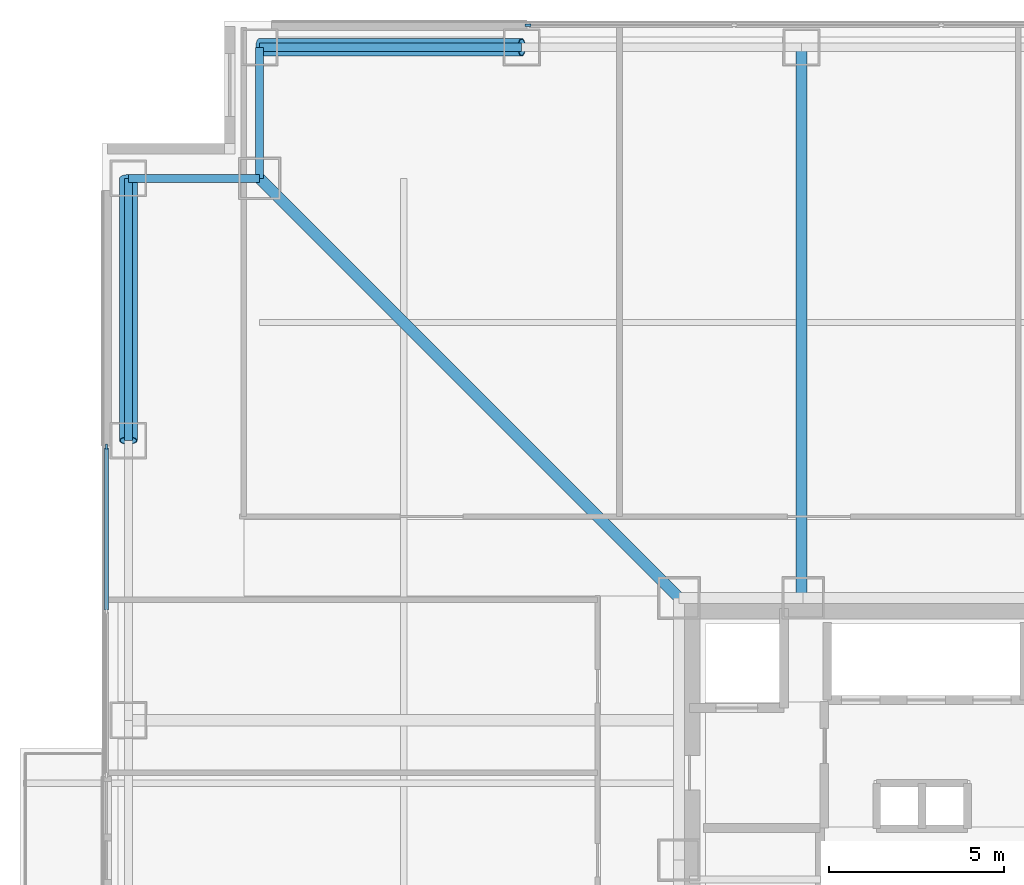
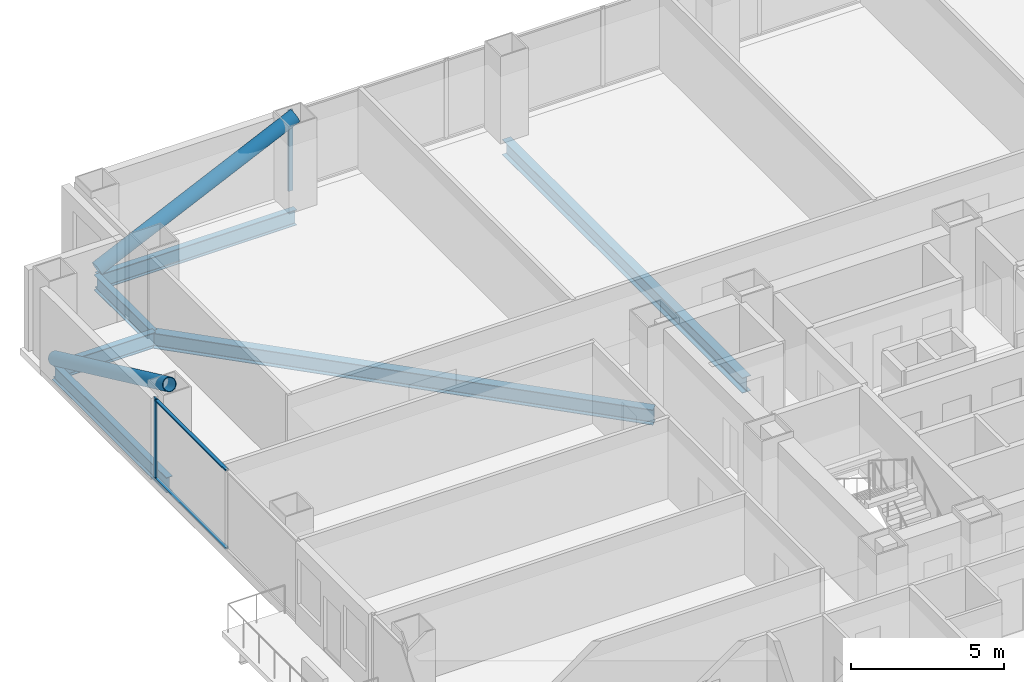
# One storey, part 11 of 20: 6 beams, 6 members, 2 elements without a shape of their own.
"""IFC4 building model written with IfcOpenShell, lengths in metres."""

from ifc_helpers import new_model, si_unit, direction, frame, origin, origin_2d, place, context, subcontext, project, spatial, rectangle, hollow_circle, i_section, extrude, material, layer, layer_set, material_profile, profile_set, type_object, element, aggregate, save


model = new_model("IFC4")

# Units and contexts
model_context = context("Model", 3, precision=1e-05, world=origin(), true_north=direction((0.0, 1.0)))
body_context = subcontext(model_context, "Body", "Model", "MODEL_VIEW")
ifc_project = project(units=[si_unit("LENGTHUNIT", "METRE"), si_unit("AREAUNIT", "SQUARE_METRE"), si_unit("VOLUMEUNIT", "CUBIC_METRE"), si_unit("PLANEANGLEUNIT", "RADIAN"), si_unit("MASSUNIT", "GRAM", prefix="KILO")], contexts=[model_context])

# Site, building, storey
site_placement = place(None, origin())
site = spatial("IfcSite", under=ifc_project, at=site_placement, CompositionType="ELEMENT")
building_placement = place(site_placement, origin())
building = spatial("IfcBuilding", under=site, at=building_placement, Name="Trevonay Congress Spire", CompositionType="ELEMENT")
storey_placement = place(building_placement, frame((0.0, 0.0, 76.0)))
storey = spatial("IfcBuildingStorey", under=building, at=storey_placement, Name="L19", CompositionType="ELEMENT", Elevation=76.0)

# Beams
ifc_material_1 = material(Name="Steel ASTM A572 Grade 50", Category="steel")
ifc_material_profile_1 = material_profile(ifc_material_1, i_section(OverallWidth=0.324951171875, OverallDepth=0.615966796875, WebThickness=0.013916015625, FlangeThickness=0.021484375, FilletRadius=0.01806640625, at=origin_2d()), Name="W610x174")
ifc_profile_set_1 = profile_set([ifc_material_profile_1], Name="Steel ASTM A572 Grade 50")
beam_type_1 = type_object("IfcBeamType", Name="BM-GIRD-W610X174", PredefinedType="BEAM", material=ifc_profile_set_1)
beam_1_placement = place(storey_placement, frame((-7.5, 7.5, -0.55810546875), z_axis=(-0.707106781187, 0.707106781187, 0.0), x_axis=(-0.707106781187, -0.707106781187, 0.0)))
element("IfcBeam", 1, at=beam_1_placement, inside=storey, type_object=beam_type_1, Name="L19 structural beam BM-L19-CDNW", PredefinedType="BEAM", context=body_context, shape_type="SweptSolid", body=[
    extrude(i_section(OverallWidth=0.324951171875, OverallDepth=0.615966796875, WebThickness=0.013916015625, FlangeThickness=0.021484375, FilletRadius=0.01806640625, at=origin_2d()), origin(), (0.0, 0.0, 1.0), 16.970458984375),
])
beam_2_placement = place(storey_placement, frame((-4.0, 7.5, -0.55810546875), z_axis=(0.0, 1.0, 0.0), x_axis=(-1.0, 0.0, 0.0)))
element("IfcBeam", 2, at=beam_2_placement, inside=storey, type_object=beam_type_1, Name="L19 structural beam BM-L19-GN-M", PredefinedType="BEAM", context=body_context, shape_type="SweptSolid", body=[
    extrude(i_section(OverallWidth=0.324951171875, OverallDepth=0.615966796875, WebThickness=0.013916015625, FlangeThickness=0.021484375, FilletRadius=0.01806640625, at=origin_2d()), origin(), (0.0, 0.0, 1.0), 15.75),
])
ifc_material_profile_2 = material_profile(ifc_material_1, i_section(OverallWidth=0.22998046875, OverallDepth=0.616943359375, WebThickness=0.01318359375, FlangeThickness=0.022216796875, FilletRadius=0.01611328125, at=origin_2d()), Name="W610x140")
ifc_profile_set_2 = profile_set([ifc_material_profile_2], Name="Steel ASTM A572 Grade 50")
beam_type_2 = type_object("IfcBeamType", Name="BM-RING-W610X140", PredefinedType="BEAM", material=ifc_profile_set_2)
for number, where, z_axis, x_axis, name in (
    (3, (-19.5, 23.25, -0.55859375), (1.0, 0.0, 0.0), (0.0, 1.0, 0.0), "L19 structural beam BM-L19-PN1"),
    (4, (-23.25, 12.0, -0.55859375), (0.0, 1.0, 0.0), (-1.0, 0.0, 0.0), "L19 structural beam BM-L19-PW5"),
):
    element("IfcBeam", number, at=place(storey_placement, frame(where, z_axis=z_axis, x_axis=x_axis)), inside=storey, type_object=beam_type_2, Name=name, PredefinedType="BEAM", context=body_context, shape_type="SweptSolid", body=[
        extrude(i_section(OverallWidth=0.22998046875, OverallDepth=0.616943359375, WebThickness=0.01318359375, FlangeThickness=0.022216796875, FilletRadius=0.01611328125, at=origin_2d()), origin(), (0.0, 0.0, 1.0), 7.5),
    ])
for number, where, z_axis, x_axis, name in (
    (5, (-19.5, 23.25, -0.55859375), (0.0, -1.0, 0.0), (1.0, 0.0, 0.0), "L19 structural beam BM-L19-N1NW"),
    (6, (-23.25, 19.5, -0.55859375), (1.0, 0.0, 0.0), (0.0, 1.0, 0.0), "L19 structural beam BM-L19-N2NW"),
):
    element("IfcBeam", number, at=place(storey_placement, frame(where, z_axis=z_axis, x_axis=x_axis)), inside=storey, type_object=beam_type_2, Name=name, PredefinedType="BEAM", context=body_context, shape_type="SweptSolid", body=[
        extrude(i_section(OverallWidth=0.22998046875, OverallDepth=0.616943359375, WebThickness=0.01318359375, FlangeThickness=0.022216796875, FilletRadius=0.01611328125, at=origin_2d()), origin(), (0.0, 0.0, 1.0), 3.75),
    ])

# Curtain wall, member
ifc_material_2 = material(Name="Pale Anodised Aluminium EN AW-6063-T6", Category="aluminium")
ifc_layer = layer(ifc_material_2, 0.179931640625, Name="Pale Anodised Aluminium EN AW-6063-T6")
ifc_layer_set = layer_set([ifc_layer], Name="Pale Anodised Aluminium EN AW-6063-T6")
curtain_wall_type = type_object("IfcCurtainWallType", Name="CW-SYS02-HOTEL-PALE-METAL", PredefinedType="NOTDEFINED", material=ifc_layer_set)
curtain_wall_1_placement = place(storey_placement, origin())
curtain_wall_1 = element("IfcCurtainWall", 7, at=curtain_wall_1_placement, inside=storey, type_object=curtain_wall_type, Name="L19 N unitised curtain wall", PredefinedType="NOTDEFINED")
ifc_material_profile_3 = material_profile(ifc_material_2, rectangle(XDim=0.06005859375, YDim=0.159912109375, at=origin_2d()), Name="CW-MULLION-160-ALUMINIUM")
ifc_profile_set_3 = profile_set([ifc_material_profile_3], Name="Pale Anodised Aluminium EN AW-6063-T6")
member_type_1 = type_object("IfcMemberType", Name="CW-MULLION-160-ALUMINIUM", PredefinedType="MULLION", material=ifc_profile_set_3)
member_1_placement = place(storey_placement, frame((-11.820068359375, 23.8798828125, 0.0), z_axis=(0.0, 0.0, 1.0), x_axis=(0.0, 1.0, 0.0)))
member_1 = element("IfcMember", 8, at=member_1_placement, type_object=member_type_1, Name="CW02 mullion 1", PredefinedType="MULLION", context=body_context, shape_type="SweptSolid", body=[
    extrude(rectangle(XDim=0.06005859375, YDim=0.159912109375, at=origin_2d()), origin(), (0.0, 0.0, 1.0), 3.25),
])
aggregate(curtain_wall_1, [member_1])

# Curtain wall, members
curtain_wall_2_placement = place(storey_placement, origin())
curtain_wall_2 = element("IfcCurtainWall", 9, at=curtain_wall_2_placement, inside=storey, type_object=curtain_wall_type, Name="L19 WB unitised curtain wall", PredefinedType="NOTDEFINED")
member_2_placement = place(storey_placement, frame((-23.8798828125, 11.820068359375, 0.0), z_axis=(0.0, 0.0, 1.0), x_axis=(-1.0, 0.0, 0.0)))
member_2 = element("IfcMember", 10, at=member_2_placement, type_object=member_type_1, Name="CW02 mullion 3", PredefinedType="MULLION", context=body_context, shape_type="SweptSolid", body=[
    extrude(rectangle(XDim=0.06005859375, YDim=0.159912109375, at=origin_2d()), origin(), (0.0, 0.0, 1.0), 3.25),
])
ifc_material_profile_4 = material_profile(ifc_material_2, rectangle(XDim=0.1201171875, YDim=0.06005859375, at=origin_2d()), Name="CW-TRANSOM-120-ALUMINIUM")
ifc_profile_set_4 = profile_set([ifc_material_profile_4], Name="Pale Anodised Aluminium EN AW-6063-T6")
member_type_2 = type_object("IfcMemberType", Name="CW-TRANSOM-120-ALUMINIUM", PredefinedType="USERDEFINED", material=ifc_profile_set_4)
member_3_placement = place(storey_placement, frame((-23.8798828125, 7.155029296875, 0.06005859375), z_axis=(0.0, 1.0, 0.0), x_axis=(-1.0, 0.0, 0.0)))
member_3 = element("IfcMember", 11, at=member_3_placement, type_object=member_type_2, Name="CW02 transom 2.1", ObjectType="TRANSOM", PredefinedType="USERDEFINED", context=body_context, shape_type="SweptSolid", body=[
    extrude(rectangle(XDim=0.1201171875, YDim=0.06005859375, at=origin_2d()), origin(), (0.0, 0.0, 1.0), 4.635009765625),
])
member_4_placement = place(storey_placement, frame((-23.8798828125, 7.155029296875, 3.18994140625), z_axis=(0.0, 1.0, 0.0), x_axis=(-1.0, 0.0, 0.0)))
member_4 = element("IfcMember", 12, at=member_4_placement, type_object=member_type_2, Name="CW02 transom 2.2", ObjectType="TRANSOM", PredefinedType="USERDEFINED", context=body_context, shape_type="SweptSolid", body=[
    extrude(rectangle(XDim=0.1201171875, YDim=0.06005859375, at=origin_2d()), origin(), (0.0, 0.0, 1.0), 4.635009765625),
])
aggregate(curtain_wall_2, [member_2, member_3, member_4])

# Members
ifc_material_profile_5 = material_profile(ifc_material_1, hollow_circle(Radius=0.25390625, WallThickness=0.02490234375, at=origin_2d()), Name="CHS 508x25")
ifc_profile_set_5 = profile_set([ifc_material_profile_5], Name="Steel ASTM A572 Grade 50")
member_type_3 = type_object("IfcMemberType", Name="MBR-TUBE-CHS508", PredefinedType="BRACE", material=ifc_profile_set_5)
for number, where, z_axis, x_axis, name in (
    (13, (-19.5, 23.25, -0.050048828125), (0.906183139995, 0.0, 0.422885465331), (0.0, 1.0, 0.0), "L19 perimeter braced-tube diagonal N0"),
    (14, (-23.25, 19.5, -0.050048828125), (0.0, -0.906183139995, 0.422885465331), (1.0, 0.0, 0.0), "L19 perimeter braced-tube diagonal W4"),
):
    element("IfcMember", number, at=place(storey_placement, frame(where, z_axis=z_axis, x_axis=x_axis)), inside=storey, type_object=member_type_3, Name=name, PredefinedType="BRACE", context=body_context, shape_type="SweptSolid", body=[
        extrude(hollow_circle(Radius=0.25390625, WallThickness=0.02490234375, at=origin_2d()), origin(), (0.0, 0.0, 1.0), 8.2763671875),
    ])

save(model, "model.ifc")
